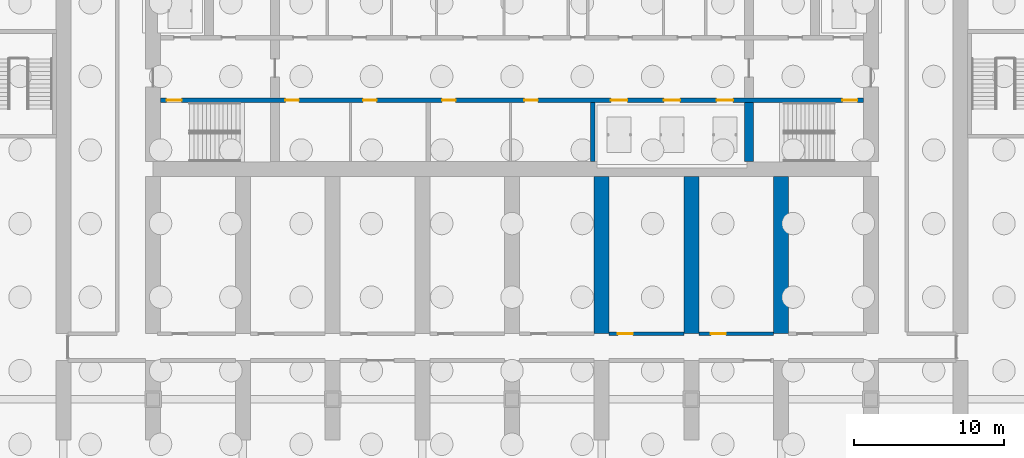
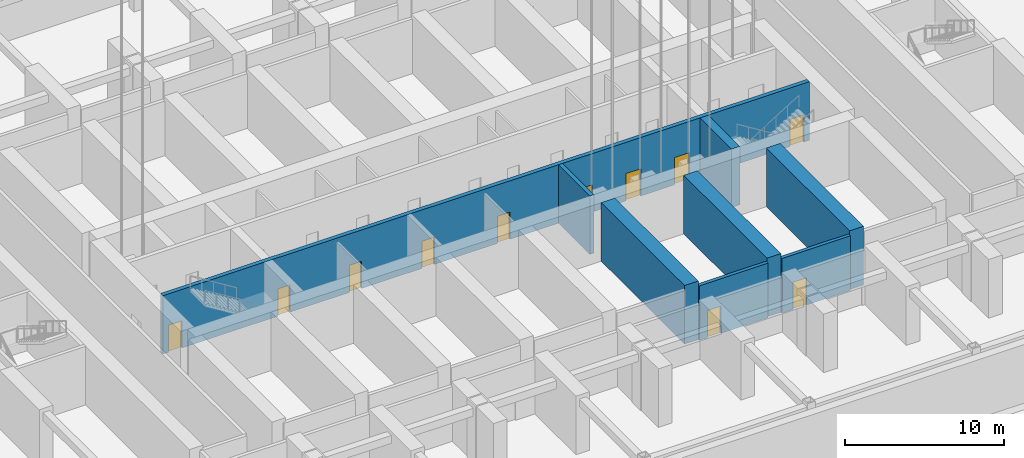
# One storey, part 4 of 28: 11 doors, 8 walls, 11 openings.
"""IFC4 building model written with IfcOpenShell, lengths in metres."""

import ifcopenshell
import ifcopenshell.guid

model = None  # the IFC model being written
_history = None  # IfcOwnerHistory: only IFC2X3 demands one
_inside = {}  # id of a spatial element -> (the spatial element, [elements in it])
_under = {}  # id of a project, library or spatial element -> (it, [spatial elements below it])
_declared = {}  # id of a project -> (the project, [libraries it declares])
_typed = {}  # id of a type object -> (the type object, [elements of that type])
_made_of = {}  # id of a material, layer set ... -> (it, [elements and type objects made of it])


def new_model(schema):
    """Start an empty IFC model of exactly this schema.

    Asked for "IFC4X3", IfcOpenShell would pick the latest addendum, in which some entities
    have other attributes; the version numbers below select the first issue.
    IFC2X3 requires an IfcOwnerHistory on every rooted entity: one is made here for all.
    """
    global model, _history
    if schema == "IFC4X3":
        model = ifcopenshell.file(schema_version=(4, 3, 0, 0))
    else:
        model = ifcopenshell.file(schema=schema)
    _inside.clear()
    _under.clear()
    _declared.clear()
    _typed.clear()
    _made_of.clear()
    _history = None
    if model.schema == "IFC2X3":
        org = make("IfcOrganization", Name="unknown")
        user = make(
            "IfcPersonAndOrganization",
            ThePerson=make("IfcPerson", FamilyName="unknown"),
            TheOrganization=org,
        )
        app = make(
            "IfcApplication",
            ApplicationDeveloper=org,
            Version="unknown",
            ApplicationFullName="unknown",
            ApplicationIdentifier="unknown",
        )
        _history = make(
            "IfcOwnerHistory",
            OwningUser=user,
            OwningApplication=app,
            ChangeAction="ADDED",
            CreationDate=0,
        )
    return model


def make(cls, **values):
    """One entity of the class cls with the attributes given. An attribute that is None is left unset."""
    return model.create_entity(
        cls, **{name: value for name, value in values.items() if value is not None}
    )


def rooted(cls, **values):
    """An entity with a GlobalId (a new one), such as an element, a storey or a relation."""
    return make(cls, GlobalId=ifcopenshell.guid.new(), OwnerHistory=_history, **values)


def si_unit(unit_type, name, prefix=None):
    """IfcSIUnit, for example si_unit("LENGTHUNIT", "METRE", prefix="MILLI")."""
    return make("IfcSIUnit", UnitType=unit_type, Prefix=prefix, Name=name)


def assignment(units):
    """IfcUnitAssignment: the units of a project."""
    return None if units is None else make("IfcUnitAssignment", Units=units)


def point(xyz):
    """IfcCartesianPoint."""
    return None if xyz is None else make("IfcCartesianPoint", Coordinates=xyz)


def direction(xyz):
    """IfcDirection."""
    return None if xyz is None else make("IfcDirection", DirectionRatios=xyz)


def frame(location, z_axis=None, x_axis=None):
    """IfcAxis2Placement3D, a coordinate frame: its origin and axes. An axis left out is left unset."""
    return make(
        "IfcAxis2Placement3D",
        Location=point(location),
        Axis=direction(z_axis),
        RefDirection=direction(x_axis),
    )


def frame_2d(location, x_axis=None):
    """IfcAxis2Placement2D, a coordinate frame in the plane: its origin and x axis."""
    return make(
        "IfcAxis2Placement2D", Location=point(location), RefDirection=direction(x_axis)
    )


def origin():
    """The frame at (0, 0, 0) with its axes left unset."""
    return frame((0.0, 0.0, 0.0))


def place(relative_to, where):
    """IfcLocalPlacement: puts the frame where relative to a parent placement (None: the world)."""
    return make(
        "IfcLocalPlacement", PlacementRelTo=relative_to, RelativePlacement=where
    )


def context(
    kind, dimensions, precision=None, world=None, true_north=None, identifier=None
):
    """IfcGeometricRepresentationContext, for example the 3D "Model" context."""
    return make(
        "IfcGeometricRepresentationContext",
        ContextIdentifier=identifier,
        ContextType=kind,
        CoordinateSpaceDimension=dimensions,
        Precision=precision,
        WorldCoordinateSystem=world,
        TrueNorth=true_north,
    )


def subcontext(parent, identifier, kind, view, scale=None):
    """IfcGeometricRepresentationSubContext, for example "Body" below "Model"."""
    return make(
        "IfcGeometricRepresentationSubContext",
        ContextIdentifier=identifier,
        ContextType=kind,
        ParentContext=parent,
        TargetScale=scale,
        TargetView=view,
    )


def project(units=None, contexts=None):
    """IfcProject with its units and contexts."""
    return rooted(
        "IfcProject",
        Name="project",
        RepresentationContexts=contexts,
        UnitsInContext=assignment(units),
    )


def spatial(cls, under=None, at=None, **own):
    """A site, building, storey or space (cls), placed at a placement, below another one or the project."""
    s = rooted(cls, ObjectPlacement=at, **own)
    if under is not None:
        _under.setdefault(under.id(), (under, []))[1].append(s)
    return s


def profile(cls, at=None, kind="AREA", **sizes):
    """A parametric profile (cls). Its sizes go by their IFC names, for example OverallWidth=200.0."""
    return make(cls, ProfileType=kind, Position=at, **sizes)


def rectangle(**sizes):
    """IfcRectangleProfileDef."""
    return profile("IfcRectangleProfileDef", **sizes)


def extrude(swept, where, along, depth):
    """IfcExtrudedAreaSolid: the profile swept, set in the frame where, extruded along a direction by depth."""
    return make(
        "IfcExtrudedAreaSolid",
        SweptArea=swept,
        Position=where,
        ExtrudedDirection=direction(along),
        Depth=depth,
    )


def shape(context_of_items, identifier, shape_type, items):
    """IfcShapeRepresentation: the items that make up one representation, for example the "Body"."""
    return make(
        "IfcShapeRepresentation",
        ContextOfItems=context_of_items,
        RepresentationIdentifier=identifier,
        RepresentationType=shape_type,
        Items=items,
    )


def material(Name=None, Category=None):
    """IfcMaterial."""
    return make("IfcMaterial", Name=Name, Category=Category)


def layer(
    of_material, thickness, ventilated=None, Name=None, Category=None, Priority=None
):
    """IfcMaterialLayer: one layer of a wall or slab, of a material (None: an air gap)."""
    return make(
        "IfcMaterialLayer",
        Material=of_material,
        LayerThickness=thickness,
        IsVentilated=ventilated,
        Name=Name,
        Category=Category,
        Priority=Priority,
    )


def layer_set(layers, Name=None):
    """IfcMaterialLayerSet."""
    return make("IfcMaterialLayerSet", MaterialLayers=layers, LayerSetName=Name)


def made_of(thing, what):
    """Note that an element or type object is made of a material, layer set ...; save() writes the relation."""
    if what is not None:
        _made_of.setdefault(what.id(), (what, []))[1].append(thing)
    return thing


def type_object(cls, material=None, **own):
    """A type object (cls), such as IfcWallType, which elements share."""
    return made_of(rooted(cls, **own), material)


def element(
    cls,
    number,
    at=None,
    inside=None,
    cuts=None,
    type_object=None,
    material=None,
    context=None,
    identifier="Body",
    shape_type=None,
    held_by="IfcProductDefinitionShape",
    body=None,
    shapes=None,
    **own,
):
    """One element of the class cls, such as IfcWall. Its Tag is "e" and its number.

    at: its placement. inside: the storey or other place that contains it. cuts: it is an
    opening in that element (IfcRelVoidsElement). A single representation is given by context,
    identifier, shape_type and body (its items); several are given by shapes. held_by: the class
    of the entity that holds the representations. save() writes the other relations.
    """
    e = rooted(cls, Tag="e%d" % number, ObjectPlacement=at, **own)
    if body is not None:
        shapes = [shape(context, identifier, shape_type, body)]
    if shapes is not None:
        e.Representation = make(held_by, Representations=shapes)
    if inside is not None:
        _inside.setdefault(inside.id(), (inside, []))[1].append(e)
    if cuts is not None:
        rooted(
            "IfcRelVoidsElement", RelatingBuildingElement=cuts, RelatedOpeningElement=e
        )
    if type_object is not None:
        _typed.setdefault(type_object.id(), (type_object, []))[1].append(e)
    return made_of(e, material)


def fill(opening, filler):
    """IfcRelFillsElement: the door or window that sits in an opening."""
    return rooted(
        "IfcRelFillsElement",
        RelatingOpeningElement=opening,
        RelatedBuildingElement=filler,
    )


def aggregate(whole, parts):
    """IfcRelAggregates: a whole, such as a stair, and the parts it consists of."""
    return rooted("IfcRelAggregates", RelatingObject=whole, RelatedObjects=parts)


def save(model, path):
    """Write the relations noted so far, then the file.

    IfcRelAggregates (storeys below a building ...), IfcRelContainedInSpatialStructure (elements
    in a storey), IfcRelDefinesByType, IfcRelAssociatesMaterial and IfcRelDeclares: one each for
    every whole, place, type object, material and project.
    """
    for whole, parts in _under.values():
        aggregate(whole, parts)
    for where, things in _inside.values():
        rooted(
            "IfcRelContainedInSpatialStructure",
            RelatedElements=things,
            RelatingStructure=where,
        )
    for kind, things in _typed.values():
        rooted("IfcRelDefinesByType", RelatedObjects=things, RelatingType=kind)
    for what, things in _made_of.values():
        rooted("IfcRelAssociatesMaterial", RelatedObjects=things, RelatingMaterial=what)
    for by, libraries in _declared.values():
        rooted("IfcRelDeclares", RelatingContext=by, RelatedDefinitions=libraries)
    model.write(path)


model = new_model("IFC4")

# Units and contexts
model_context = context("Model", 3, precision=1e-05, world=origin(), true_north=direction((0.0, 1.0)))
body_context = subcontext(model_context, "Body", "Model", "MODEL_VIEW")
ifc_project = project(units=[si_unit("LENGTHUNIT", "METRE"), si_unit("AREAUNIT", "SQUARE_METRE"), si_unit("VOLUMEUNIT", "CUBIC_METRE"), si_unit("PLANEANGLEUNIT", "RADIAN"), si_unit("MASSUNIT", "GRAM", prefix="KILO")], contexts=[model_context])

# Site, building, storey
site_placement = place(None, origin())
site = spatial("IfcSite", under=ifc_project, at=site_placement, CompositionType="ELEMENT")
building_placement = place(site_placement, origin())
building = spatial("IfcBuilding", under=site, at=building_placement, Name="Orbita Commons", CompositionType="ELEMENT")
storey_placement = place(building_placement, frame((0.0, 0.0, -9.0)))
storey = spatial("IfcBuildingStorey", under=building, at=storey_placement, Name="L-02", CompositionType="ELEMENT", Elevation=-9.0)

# Wall, opening, door
ifc_material_1 = material(Name="Concrete blockwork", Category="masonry")
ifc_layer_1 = layer(ifc_material_1, 0.25)
ifc_layer_set_1 = layer_set([ifc_layer_1], Name="Concrete blockwork")
wall_type_1 = type_object("IfcWallType", Name="Basement wall 250 blockwork", PredefinedType="SOLIDWALL", material=ifc_layer_set_1)
wall_1_placement = place(storey_placement, frame((48.5, 14.800048828125, 0.0), z_axis=(0.0, 0.0, 1.0), x_axis=(1.0, 0.0, 0.0)))
wall_1 = element("IfcWall", 1, at=wall_1_placement, inside=storey, type_object=wall_type_1, Name="Basement wall 250 blockwork L-02", PredefinedType="SOLIDWALL", context=body_context, shape_type="SweptSolid", body=[
    extrude(rectangle(XDim=5.0, YDim=0.25, at=frame_2d((2.5, 0.0))), origin(), (0.0, 0.0, 1.0), 4.199951171875),
])
opening_1_placement = place(wall_1_placement, frame((0.574951171875, 0.0, 0.0)))
opening_1 = element("IfcOpeningElement", 2, at=opening_1_placement, cuts=wall_1, Name="Opening D06", PredefinedType="OPENING", context=body_context, shape_type="SweptSolid", body=[
    extrude(rectangle(XDim=1.0, YDim=2.10009765625, at=frame_2d((0.5, 1.050048828125))), frame((0.0, 0.135009765625, 0.0), z_axis=(0.0, -1.0, 0.0), x_axis=(1.0, 0.0, 0.0)), (0.0, 0.0, 1.0), 0.27001953125),
])
ifc_material_2 = material(Name="Steel-faced fire door leaf", Category="steel")
door_type_1 = type_object("IfcDoorType", Name="Corridor door 20 min 1000x2100", OperationType="SINGLE_SWING_LEFT", PredefinedType="DOOR", material=ifc_material_2)
door_1_placement = place(opening_1_placement, origin())
door_1 = element("IfcDoor", 3, at=door_1_placement, inside=storey, type_object=door_type_1, Name="Room door", OperationType="SINGLE_SWING_LEFT", OverallHeight=2.10009765625, OverallWidth=1.0, PredefinedType="DOOR", context=body_context, shape_type="SweptSolid", body=[
    extrude(rectangle(XDim=1.0, YDim=2.10009765625, at=frame_2d((0.5, 1.050048828125))), frame((0.0, 0.02490234375, 0.0), z_axis=(0.0, -1.0, 0.0), x_axis=(1.0, 0.0, 0.0)), (0.0, 0.0, 1.0), 0.050048828125),
])
fill(opening_1, door_1)

wall_2_placement = place(storey_placement, frame((54.5, 14.800048828125, 0.0), z_axis=(0.0, 0.0, 1.0), x_axis=(1.0, 0.0, 0.0)))
wall_2 = element("IfcWall", 4, at=wall_2_placement, inside=storey, type_object=wall_type_1, Name="Basement wall 250 blockwork L-02", PredefinedType="SOLIDWALL", context=body_context, shape_type="SweptSolid", body=[
    extrude(rectangle(XDim=5.0, YDim=0.25, at=frame_2d((2.5, 0.0))), origin(), (0.0, 0.0, 1.0), 4.199951171875),
])
opening_2_placement = place(wall_2_placement, frame((0.800048828125, 0.0, 0.0)))
opening_2 = element("IfcOpeningElement", 5, at=opening_2_placement, cuts=wall_2, Name="Opening D06", PredefinedType="OPENING", context=body_context, shape_type="SweptSolid", body=[
    extrude(rectangle(XDim=1.0, YDim=2.10009765625, at=frame_2d((0.5, 1.050048828125))), frame((0.0, 0.135009765625, 0.0), z_axis=(0.0, -1.0, 0.0), x_axis=(1.0, 0.0, 0.0)), (0.0, 0.0, 1.0), 0.27001953125),
])
door_2_placement = place(opening_2_placement, origin())
door_2 = element("IfcDoor", 6, at=door_2_placement, inside=storey, type_object=door_type_1, Name="Room door", OperationType="SINGLE_SWING_LEFT", OverallHeight=2.10009765625, OverallWidth=1.0, PredefinedType="DOOR", context=body_context, shape_type="SweptSolid", body=[
    extrude(rectangle(XDim=1.0, YDim=2.10009765625, at=frame_2d((0.5, 1.050048828125))), frame((0.0, 0.02490234375, 0.0), z_axis=(0.0, -1.0, 0.0), x_axis=(1.0, 0.0, 0.0)), (0.0, 0.0, 1.0), 0.050048828125),
])
fill(opening_2, door_2)

# Wall, openings, doors
ifc_material_3 = material(Name="Concrete C50/60", Category="concrete")
ifc_layer_2 = layer(ifc_material_3, 0.300048828125)
ifc_layer_set_2 = layer_set([ifc_layer_2], Name="Concrete C50/60")
wall_type_2 = type_object("IfcWallType", Name="Core inner wall 300 C50/60", PredefinedType="SHEAR", material=ifc_layer_set_2)
wall_3_placement = place(storey_placement, frame((18.5, 30.39990234375, 0.0), z_axis=(0.0, 0.0, 1.0), x_axis=(1.0, 0.0, 0.0)))
wall_3 = element("IfcWall", 7, at=wall_3_placement, inside=storey, type_object=wall_type_2, Name="Lobby wall south L-02", PredefinedType="SHEAR", context=body_context, shape_type="SweptSolid", body=[
    extrude(rectangle(XDim=47.0, YDim=0.300048828125, at=frame_2d((23.5, 0.0))), origin(), (0.0, 0.0, 1.0), 4.5),
])
opening_3_placement = place(wall_3_placement, frame((0.39990234375, 0.0, 0.0)))
opening_3 = element("IfcOpeningElement", 8, at=opening_3_placement, cuts=wall_3, Name="Opening D02", PredefinedType="OPENING", context=body_context, shape_type="SweptSolid", body=[
    extrude(rectangle(XDim=1.0, YDim=2.10009765625, at=frame_2d((0.5, 1.050048828125))), frame((0.0, 0.159912109375, 0.0), z_axis=(0.0, -1.0, 0.0), x_axis=(1.0, 0.0, 0.0)), (0.0, 0.0, 1.0), 0.320068359375),
])
opening_4_placement = place(wall_3_placement, frame((45.60009765625, 0.0, 0.0)))
opening_4 = element("IfcOpeningElement", 9, at=opening_4_placement, cuts=wall_3, Name="Opening D02", PredefinedType="OPENING", context=body_context, shape_type="SweptSolid", body=[
    extrude(rectangle(XDim=1.0, YDim=2.10009765625, at=frame_2d((0.5, 1.050048828125))), frame((0.0, 0.159912109375, 0.0), z_axis=(0.0, -1.0, 0.0), x_axis=(1.0, 0.0, 0.0)), (0.0, 0.0, 1.0), 0.320068359375),
])
opening_5_placement = place(wall_3_placement, frame((8.35009765625, 0.0, 0.0)))
opening_5 = element("IfcOpeningElement", 10, at=opening_5_placement, cuts=wall_3, Name="Opening D05", PredefinedType="OPENING", context=body_context, shape_type="SweptSolid", body=[
    extrude(rectangle(XDim=0.89990234375, YDim=2.10009765625, at=frame_2d((0.449951171875, 1.050048828125))), frame((0.0, 0.159912109375, 0.0), z_axis=(0.0, -1.0, 0.0), x_axis=(1.0, 0.0, 0.0)), (0.0, 0.0, 1.0), 0.320068359375),
])
opening_6_placement = place(wall_3_placement, frame((13.550048828125, 0.0, 0.0)))
opening_6 = element("IfcOpeningElement", 11, at=opening_6_placement, cuts=wall_3, Name="Opening D05", PredefinedType="OPENING", context=body_context, shape_type="SweptSolid", body=[
    extrude(rectangle(XDim=0.89990234375, YDim=2.10009765625, at=frame_2d((0.449951171875, 1.050048828125))), frame((0.0, 0.159912109375, 0.0), z_axis=(0.0, -1.0, 0.0), x_axis=(1.0, 0.0, 0.0)), (0.0, 0.0, 1.0), 0.320068359375),
])
opening_7_placement = place(wall_3_placement, frame((18.824951171875, 0.0, 0.0)))
opening_7 = element("IfcOpeningElement", 12, at=opening_7_placement, cuts=wall_3, Name="Opening D05", PredefinedType="OPENING", context=body_context, shape_type="SweptSolid", body=[
    extrude(rectangle(XDim=0.89990234375, YDim=2.10009765625, at=frame_2d((0.449951171875, 1.050048828125))), frame((0.0, 0.159912109375, 0.0), z_axis=(0.0, -1.0, 0.0), x_axis=(1.0, 0.0, 0.0)), (0.0, 0.0, 1.0), 0.320068359375),
])
opening_8_placement = place(wall_3_placement, frame((24.324951171875, 0.0, 0.0)))
opening_8 = element("IfcOpeningElement", 13, at=opening_8_placement, cuts=wall_3, Name="Opening D05", PredefinedType="OPENING", context=body_context, shape_type="SweptSolid", body=[
    extrude(rectangle(XDim=0.89990234375, YDim=2.10009765625, at=frame_2d((0.449951171875, 1.050048828125))), frame((0.0, 0.159912109375, 0.0), z_axis=(0.0, -1.0, 0.0), x_axis=(1.0, 0.0, 0.0)), (0.0, 0.0, 1.0), 0.320068359375),
])
opening_9_placement = place(wall_3_placement, frame((30.11669921875, 0.0, 0.0)))
opening_9 = element("IfcOpeningElement", 14, at=opening_9_placement, cuts=wall_3, Name="Opening LD02", PredefinedType="OPENING", context=body_context, shape_type="SweptSolid", body=[
    extrude(rectangle(XDim=1.10009765625, YDim=2.10009765625, at=frame_2d((0.550048828125, 1.050048828125))), frame((0.0, 0.159912109375, 0.0), z_axis=(0.0, -1.0, 0.0), x_axis=(1.0, 0.0, 0.0)), (0.0, 0.0, 1.0), 0.320068359375),
])
opening_10_placement = place(wall_3_placement, frame((33.64990234375, 0.0, 0.0)))
opening_10 = element("IfcOpeningElement", 15, at=opening_10_placement, cuts=wall_3, Name="Opening LD02", PredefinedType="OPENING", context=body_context, shape_type="SweptSolid", body=[
    extrude(rectangle(XDim=1.10009765625, YDim=2.10009765625, at=frame_2d((0.550048828125, 1.050048828125))), frame((0.0, 0.159912109375, 0.0), z_axis=(0.0, -1.0, 0.0), x_axis=(1.0, 0.0, 0.0)), (0.0, 0.0, 1.0), 0.320068359375),
])
opening_11_placement = place(wall_3_placement, frame((37.183349609375, 0.0, 0.0)))
opening_11 = element("IfcOpeningElement", 16, at=opening_11_placement, cuts=wall_3, Name="Opening LD02", PredefinedType="OPENING", context=body_context, shape_type="SweptSolid", body=[
    extrude(rectangle(XDim=1.10009765625, YDim=2.10009765625, at=frame_2d((0.550048828125, 1.050048828125))), frame((0.0, 0.159912109375, 0.0), z_axis=(0.0, -1.0, 0.0), x_axis=(1.0, 0.0, 0.0)), (0.0, 0.0, 1.0), 0.320068359375),
])
ifc_material_4 = material(Name="Steel-faced fire door leaf", Category="steel")
door_type_2 = type_object("IfcDoorType", Name="Fire door 90 min 1000x2100", OperationType="SINGLE_SWING_LEFT", PredefinedType="DOOR", material=ifc_material_4)
door_3_placement = place(opening_3_placement, origin())
door_3 = element("IfcDoor", 17, at=door_3_placement, inside=storey, type_object=door_type_2, Name="Stair S1 door", OperationType="SINGLE_SWING_LEFT", OverallHeight=2.10009765625, OverallWidth=1.0, PredefinedType="DOOR", context=body_context, shape_type="SweptSolid", body=[
    extrude(rectangle(XDim=1.0, YDim=2.10009765625, at=frame_2d((0.5, 1.050048828125))), frame((0.0, 0.02490234375, 0.0), z_axis=(0.0, -1.0, 0.0), x_axis=(1.0, 0.0, 0.0)), (0.0, 0.0, 1.0), 0.050048828125),
])
fill(opening_3, door_3)
door_4_placement = place(opening_4_placement, origin())
door_4 = element("IfcDoor", 18, at=door_4_placement, inside=storey, type_object=door_type_2, Name="Stair S2 door", OperationType="SINGLE_SWING_LEFT", OverallHeight=2.10009765625, OverallWidth=1.0, PredefinedType="DOOR", context=body_context, shape_type="SweptSolid", body=[
    extrude(rectangle(XDim=1.0, YDim=2.10009765625, at=frame_2d((0.5, 1.050048828125))), frame((0.0, 0.02490234375, 0.0), z_axis=(0.0, -1.0, 0.0), x_axis=(1.0, 0.0, 0.0)), (0.0, 0.0, 1.0), 0.050048828125),
])
fill(opening_4, door_4)
ifc_material_5 = material(Name="Steel-faced fire door leaf", Category="steel")
door_type_3 = type_object("IfcDoorType", Name="Lift landing door 1100x2100", OperationType="DOUBLE_DOOR_SLIDING", PredefinedType="DOOR", material=ifc_material_5)
door_5_placement = place(opening_9_placement, origin())
door_5 = element("IfcDoor", 19, at=door_5_placement, inside=storey, type_object=door_type_3, Name="Lift SV1 landing door", OperationType="DOUBLE_DOOR_SLIDING", OverallHeight=2.10009765625, OverallWidth=1.10009765625, PredefinedType="DOOR", context=body_context, shape_type="SweptSolid", body=[
    extrude(rectangle(XDim=1.10009765625, YDim=2.10009765625, at=frame_2d((0.550048828125, 1.050048828125))), frame((0.0, 0.02490234375, 0.0), z_axis=(0.0, -1.0, 0.0), x_axis=(1.0, 0.0, 0.0)), (0.0, 0.0, 1.0), 0.050048828125),
])
fill(opening_9, door_5)
door_6_placement = place(opening_10_placement, origin())
door_6 = element("IfcDoor", 20, at=door_6_placement, inside=storey, type_object=door_type_3, Name="Lift SV2 landing door", OperationType="DOUBLE_DOOR_SLIDING", OverallHeight=2.10009765625, OverallWidth=1.10009765625, PredefinedType="DOOR", context=body_context, shape_type="SweptSolid", body=[
    extrude(rectangle(XDim=1.10009765625, YDim=2.10009765625, at=frame_2d((0.550048828125, 1.050048828125))), frame((0.0, 0.02490234375, 0.0), z_axis=(0.0, -1.0, 0.0), x_axis=(1.0, 0.0, 0.0)), (0.0, 0.0, 1.0), 0.050048828125),
])
fill(opening_10, door_6)
door_7_placement = place(opening_11_placement, origin())
door_7 = element("IfcDoor", 21, at=door_7_placement, inside=storey, type_object=door_type_3, Name="Lift SV3 landing door", OperationType="DOUBLE_DOOR_SLIDING", OverallHeight=2.10009765625, OverallWidth=1.10009765625, PredefinedType="DOOR", context=body_context, shape_type="SweptSolid", body=[
    extrude(rectangle(XDim=1.10009765625, YDim=2.10009765625, at=frame_2d((0.550048828125, 1.050048828125))), frame((0.0, 0.02490234375, 0.0), z_axis=(0.0, -1.0, 0.0), x_axis=(1.0, 0.0, 0.0)), (0.0, 0.0, 1.0), 0.050048828125),
])
fill(opening_11, door_7)
ifc_material_6 = material(Name="Steel-faced fire door leaf", Category="steel")
door_type_4 = type_object("IfcDoorType", Name="Service door 20 min 900x2100", OperationType="SINGLE_SWING_LEFT", PredefinedType="DOOR", material=ifc_material_6)
door_8_placement = place(opening_5_placement, origin())
door_8 = element("IfcDoor", 22, at=door_8_placement, inside=storey, type_object=door_type_4, Name="Residents' store door", OperationType="SINGLE_SWING_LEFT", OverallHeight=2.10009765625, OverallWidth=0.89990234375, PredefinedType="DOOR", context=body_context, shape_type="SweptSolid", body=[
    extrude(rectangle(XDim=0.89990234375, YDim=2.10009765625, at=frame_2d((0.449951171875, 1.050048828125))), frame((0.0, 0.02490234375, 0.0), z_axis=(0.0, -1.0, 0.0), x_axis=(1.0, 0.0, 0.0)), (0.0, 0.0, 1.0), 0.050048828125),
])
fill(opening_5, door_8)
door_9_placement = place(opening_6_placement, origin())
door_9 = element("IfcDoor", 23, at=door_9_placement, inside=storey, type_object=door_type_4, Name="Staff WC and changing room door", OperationType="SINGLE_SWING_LEFT", OverallHeight=2.10009765625, OverallWidth=0.89990234375, PredefinedType="DOOR", context=body_context, shape_type="SweptSolid", body=[
    extrude(rectangle(XDim=0.89990234375, YDim=2.10009765625, at=frame_2d((0.449951171875, 1.050048828125))), frame((0.0, 0.02490234375, 0.0), z_axis=(0.0, -1.0, 0.0), x_axis=(1.0, 0.0, 0.0)), (0.0, 0.0, 1.0), 0.050048828125),
])
fill(opening_6, door_9)
door_10_placement = place(opening_7_placement, origin())
door_10 = element("IfcDoor", 24, at=door_10_placement, inside=storey, type_object=door_type_4, Name="Housekeeping store door", OperationType="SINGLE_SWING_LEFT", OverallHeight=2.10009765625, OverallWidth=0.89990234375, PredefinedType="DOOR", context=body_context, shape_type="SweptSolid", body=[
    extrude(rectangle(XDim=0.89990234375, YDim=2.10009765625, at=frame_2d((0.449951171875, 1.050048828125))), frame((0.0, 0.02490234375, 0.0), z_axis=(0.0, -1.0, 0.0), x_axis=(1.0, 0.0, 0.0)), (0.0, 0.0, 1.0), 0.050048828125),
])
fill(opening_7, door_10)
door_11_placement = place(opening_8_placement, origin())
door_11 = element("IfcDoor", 25, at=door_11_placement, inside=storey, type_object=door_type_4, Name="Telecoms room door", OperationType="SINGLE_SWING_LEFT", OverallHeight=2.10009765625, OverallWidth=0.89990234375, PredefinedType="DOOR", context=body_context, shape_type="SweptSolid", body=[
    extrude(rectangle(XDim=0.89990234375, YDim=2.10009765625, at=frame_2d((0.449951171875, 1.050048828125))), frame((0.0, 0.02490234375, 0.0), z_axis=(0.0, -1.0, 0.0), x_axis=(1.0, 0.0, 0.0)), (0.0, 0.0, 1.0), 0.050048828125),
])
fill(opening_8, door_11)

# Walls
wall_4_placement = place(storey_placement, frame((47.39990234375, 26.300048828125, 0.0), z_axis=(0.0, 0.0, 1.0), x_axis=(0.0, 1.0, 0.0)))
element("IfcWall", 26, at=wall_4_placement, inside=storey, type_object=wall_type_2, Name="Hoistway division wall L-02", PredefinedType="SHEAR", context=body_context, shape_type="SweptSolid", body=[
    extrude(rectangle(XDim=3.949951171875, YDim=0.300048828125, at=frame_2d((1.97509765625, 0.0))), origin(), (0.0, 0.0, 1.0), 4.5),
])
ifc_material_7 = material(Name="Concrete C50/60", Category="concrete")
ifc_layer_3 = layer(ifc_material_7, 0.60009765625)
ifc_layer_set_3 = layer_set([ifc_layer_3], Name="Concrete C50/60")
wall_type_3 = type_object("IfcWallType", Name="Core inner wall 600 C50/60", PredefinedType="SHEAR", material=ifc_layer_set_3)
wall_5_placement = place(storey_placement, frame((57.85009765625, 26.300048828125, 0.0), z_axis=(0.0, 0.0, 1.0), x_axis=(0.0, 1.0, 0.0)))
element("IfcWall", 27, at=wall_5_placement, inside=storey, type_object=wall_type_3, Name="Stair S2 wall L-02", PredefinedType="SHEAR", context=body_context, shape_type="SweptSolid", body=[
    extrude(rectangle(XDim=3.949951171875, YDim=0.60009765625, at=frame_2d((1.97509765625, 0.0))), origin(), (0.0, 0.0, 1.0), 4.5),
])
ifc_material_8 = material(Name="Concrete C50/60", Category="concrete")
ifc_layer_4 = layer(ifc_material_8, 1.0)
ifc_layer_set_4 = layer_set([ifc_layer_4], Name="Concrete C50/60")
wall_type_4 = type_object("IfcWallType", Name="Cross wall 1000 C50/60", PredefinedType="SHEAR", material=ifc_layer_set_4)
for number, where, z_axis, x_axis, name in (
    (28, (48.0, 14.800048828125, 0.0), (0.0, 0.0, 1.0), (0.0, 1.0, 0.0), "Cross wall 9 south inner L-02"),
    (29, (54.0, 14.800048828125, 0.0), (0.0, 0.0, 1.0), (0.0, 1.0, 0.0), "Cross wall 10 south inner L-02"),
    (30, (60.0, 14.800048828125, 0.0), (0.0, 0.0, 1.0), (0.0, 1.0, 0.0), "Cross wall 11 south inner L-02"),
):
    element("IfcWall", number, at=place(storey_placement, frame(where, z_axis=z_axis, x_axis=x_axis)), inside=storey, type_object=wall_type_4, Name=name, PredefinedType="SHEAR", context=body_context, shape_type="SweptSolid", body=[
        extrude(rectangle(XDim=10.5, YDim=1.0, at=frame_2d((5.25, 0.0))), origin(), (0.0, 0.0, 1.0), 4.5),
    ])

save(model, "model.ifc")
